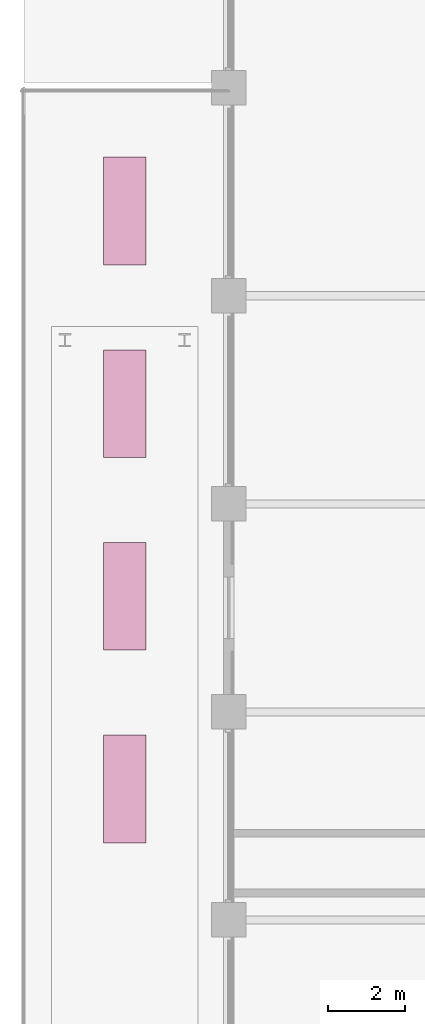
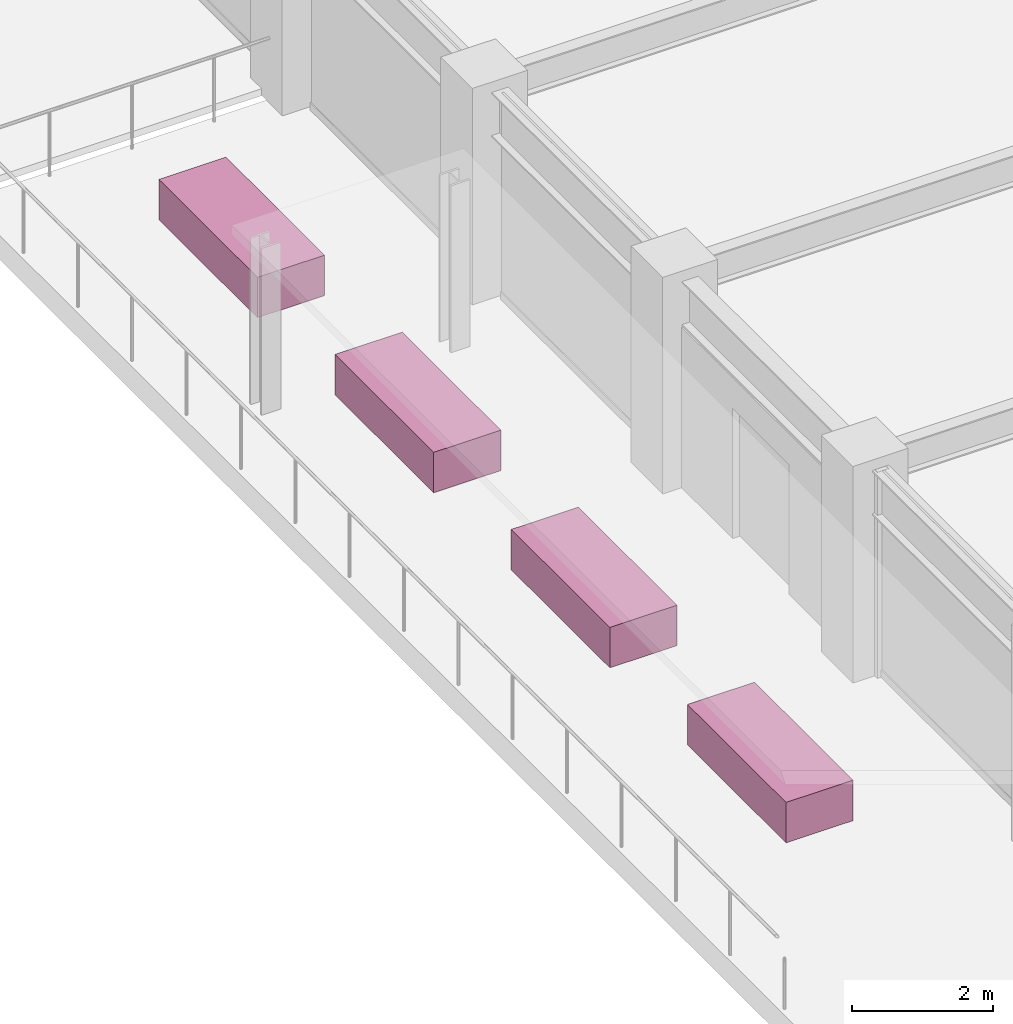
# One storey, part 36 of 36: 4 furnishings.
"""IFC4 building model written with IfcOpenShell, lengths in metres."""

from ifc_helpers import new_model, si_unit, direction, frame, origin, origin_2d, place, context, subcontext, project, spatial, rectangle, extrude, material, type_object, element, save


model = new_model("IFC4")

# Units and contexts
model_context = context("Model", 3, precision=1e-05, world=origin(), true_north=direction((0.0, 1.0)))
body_context = subcontext(model_context, "Body", "Model", "MODEL_VIEW")
ifc_project = project(units=[si_unit("LENGTHUNIT", "METRE"), si_unit("AREAUNIT", "SQUARE_METRE"), si_unit("VOLUMEUNIT", "CUBIC_METRE"), si_unit("PLANEANGLEUNIT", "RADIAN"), si_unit("MASSUNIT", "GRAM", prefix="KILO")], contexts=[model_context])

# Site, building, storey
site_placement = place(None, origin())
site = spatial("IfcSite", under=ifc_project, at=site_placement, CompositionType="ELEMENT")
building_placement = place(site_placement, origin())
building = spatial("IfcBuilding", under=site, at=building_placement, Name="Surkhivell Harbour Commons", CompositionType="ELEMENT")
storey_placement = place(building_placement, frame((0.0, 0.0, 171.0)))
storey = spatial("IfcBuildingStorey", under=building, at=storey_placement, Name="L44", CompositionType="ELEMENT", Elevation=171.0)

# Furnishings
ifc_material = material(Name="Kiln-brick faced precast concrete C40/50 and planted soil", Category="masonry")
furniture_type = type_object("IfcFurnitureType", Name="FUR-PLN-SKY", AssemblyPlace="NOTDEFINED", PredefinedType="USERDEFINED", material=ifc_material)
for number, where, z_axis, x_axis, name in (
    (1, (-29.699951171875, -2.0, 0.0), (0.0, 0.0, 1.0), (0.0, 1.0, 0.0), "L44 Sky-Garden Planter PLN-1"),
    (2, (-29.699951171875, 3.0, 0.0), (0.0, 0.0, 1.0), (0.0, 1.0, 0.0), "L44 Sky-Garden Planter PLN-2"),
    (3, (-29.699951171875, 8.0, 0.0), (0.0, 0.0, 1.0), (0.0, 1.0, 0.0), "L44 Sky-Garden Planter PLN-3"),
    (4, (-29.699951171875, 13.0, 0.0), (0.0, 0.0, 1.0), (0.0, 1.0, 0.0), "L44 Sky-Garden Planter PLN-4"),
):
    element("IfcFurnishingElement", number, at=place(storey_placement, frame(where, z_axis=z_axis, x_axis=x_axis)), inside=storey, type_object=furniture_type, Name=name, ObjectType="SKY-GARDEN PLANTER", context=body_context, shape_type="SweptSolid", body=[
        extrude(rectangle(XDim=2.800048828125, YDim=1.10009765625, at=origin_2d()), origin(), (0.0, 0.0, 1.0), 0.699951171875),
    ])

save(model, "model.ifc")
